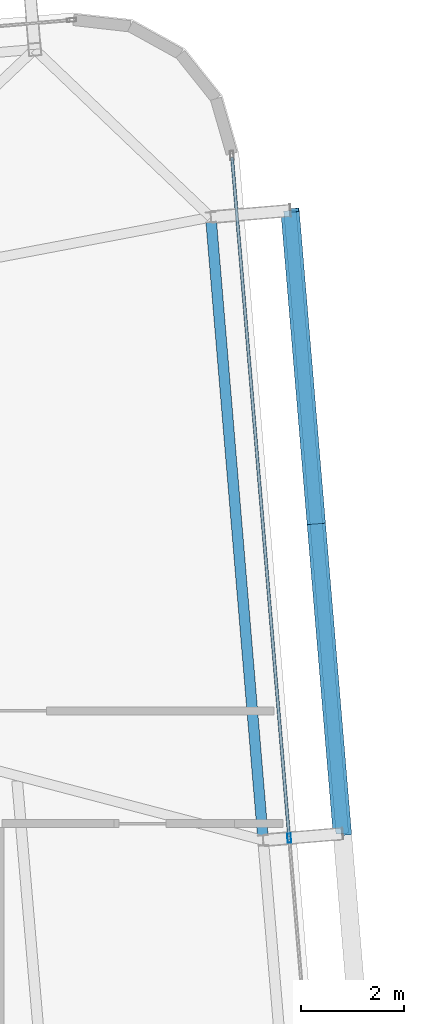
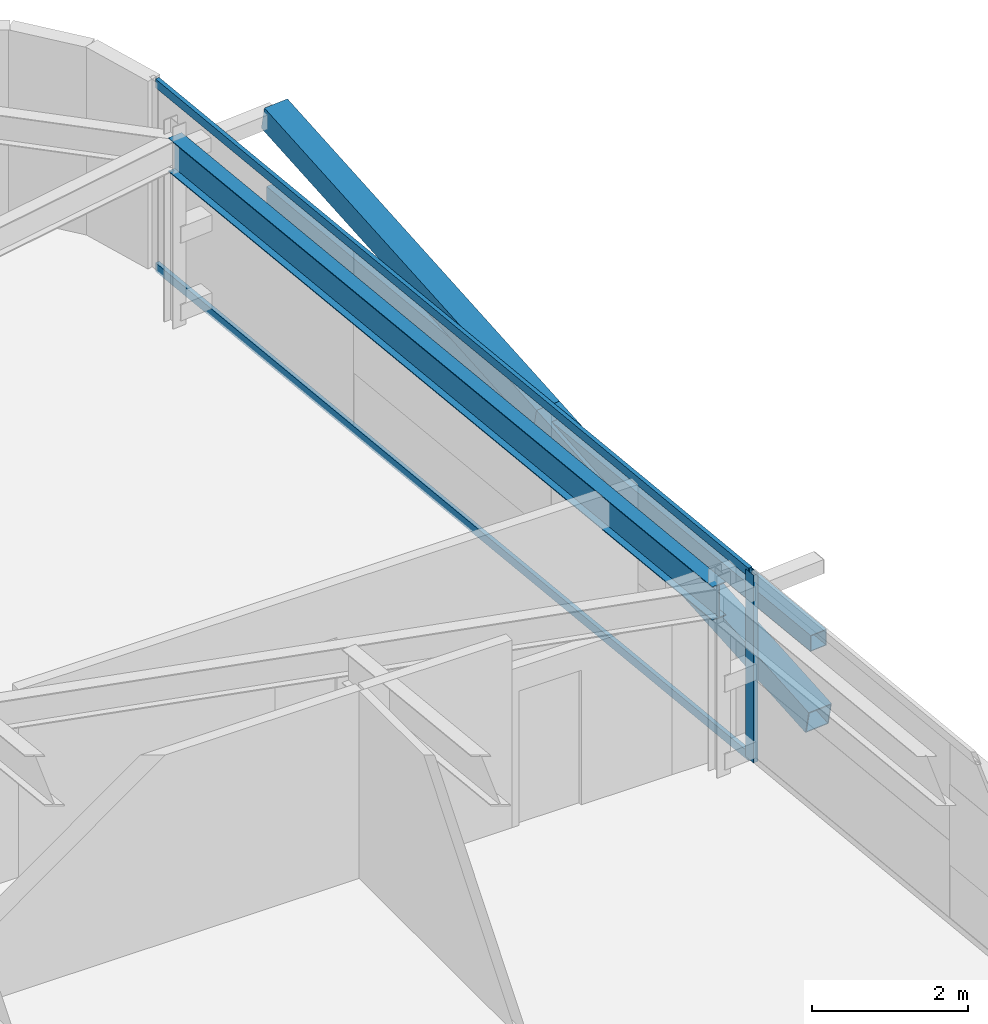
# One storey, part 20 of 39: 6 members, 1 beam, 1 element without a shape of its own.
"""IFC4 building model written with IfcOpenShell, lengths in metres."""

from ifc_helpers import new_model, si_unit, direction, frame, origin, origin_2d, place, context, subcontext, project, spatial, hollow_rectangle, i_section, extrude, source, transform, mapped, material, layer, layer_set, material_profile, profile_set, type_object, element, aggregate, save


model = new_model("IFC4")

# Units and contexts
model_context = context("Model", 3, precision=1e-05, world=origin(), true_north=direction((0.0, 1.0)))
body_context = subcontext(model_context, "Body", "Model", "MODEL_VIEW")
ifc_project = project(units=[si_unit("LENGTHUNIT", "METRE"), si_unit("AREAUNIT", "SQUARE_METRE"), si_unit("VOLUMEUNIT", "CUBIC_METRE"), si_unit("PLANEANGLEUNIT", "RADIAN"), si_unit("MASSUNIT", "GRAM", prefix="KILO")], contexts=[model_context])

# Site, building, storey
site_placement = place(None, origin())
site = spatial("IfcSite", under=ifc_project, at=site_placement, CompositionType="ELEMENT")
building_placement = place(site_placement, origin())
building = spatial("IfcBuilding", under=site, at=building_placement, Name="Taldren Reach Tower", CompositionType="ELEMENT")
storey_placement = place(building_placement, frame((0.0, 0.0, 175.699951171875)))
storey = spatial("IfcBuildingStorey", under=building, at=storey_placement, Name="L53", CompositionType="ELEMENT", Elevation=175.699951171875)

# Beam
ifc_material_1 = material(Name="Steel Gr 350 (350PLUS)", Category="steel")
ifc_material_profile_1 = material_profile(ifc_material_1, i_section(OverallWidth=0.208984375, OverallDepth=0.528076171875, WebThickness=0.009521484375, FlangeThickness=0.01318359375, at=origin_2d()), Name="530UB82.0")
ifc_profile_set_1 = profile_set([ifc_material_profile_1], Name="Steel Gr 350 (350PLUS)")
beam_type = type_object("IfcBeamType", Name="SP-UB530B", PredefinedType="SPANDREL", material=ifc_profile_set_1)
shared_shape_1 = source(origin(), body_context, "Body", "SweptSolid", [
    extrude(i_section(OverallWidth=0.208984375, OverallDepth=0.528076171875, WebThickness=0.009521484375, FlangeThickness=0.01318359375, at=origin_2d()), origin(), (0.0, 0.0, 1.0), 12.199951171875),
])
beam_placement = place(storey_placement, frame((60.6171875, 21.474853515625, 2.666015625), z_axis=(-0.083668166953, 0.99649367175, 0.0), x_axis=(-0.99649367175, -0.083668166953, 0.0)))
element("IfcBeam", 1, at=beam_placement, inside=storey, type_object=beam_type, Name="Perimeter spandrel B4 E2-E3 L53", PredefinedType="SPANDREL", context=body_context, shape_type="MappedRepresentation", body=[
    mapped(shared_shape_1, transform((0.0, 0.0, 0.0), scale=1.0)),
])

# Members
ifc_material_2 = material(Name="Steel Gr 350 (C350L0)", Category="steel")
ifc_material_profile_2 = material_profile(ifc_material_2, hollow_rectangle(XDim=0.25, YDim=0.25, WallThickness=0.010009765625, at=origin_2d()), Name="250x250x10.0SHS")
ifc_profile_set_2 = profile_set([ifc_material_profile_2], Name="Steel Gr 350 (C350L0)")
member_type_1 = type_object("IfcMemberType", Name="MB-POST250", PredefinedType="POST", material=ifc_profile_set_2)
shared_shape_2 = source(origin(), body_context, "Body", "SweptSolid", [
    extrude(hollow_rectangle(XDim=0.25, YDim=0.25, WallThickness=0.010009765625, at=origin_2d()), origin(), (0.0, 0.0, 1.0), 12.199951171875),
])
member_1_placement = place(storey_placement, frame((62.161865234375, 21.6044921875, 1.43505859375), z_axis=(-0.083688038336, 0.996492003099, 0.0), x_axis=(-0.996492003099, -0.083688038336, 0.0)))
element("IfcMember", 2, at=member_1_placement, inside=storey, type_object=member_type_1, Name="Exoskeleton mid-height ring chord B4-E2 L53", PredefinedType="POST", context=body_context, shape_type="MappedRepresentation", body=[
    mapped(shared_shape_2, transform((0.0, 0.0, 0.0), scale=1.0)),
])
ifc_material_3 = material(Name="Steel Gr 450 (C450L0)", Category="steel")
ifc_material_profile_3 = material_profile(ifc_material_3, hollow_rectangle(XDim=0.360107421875, YDim=0.360107421875, WallThickness=0.0126953125, at=origin_2d()), Name="360x360x12.7SHS")
ifc_profile_set_3 = profile_set([ifc_material_profile_3], Name="Steel Gr 450 (C450L0)")
member_type_2 = type_object("IfcMemberType", Name="MB-EXO356", PredefinedType="BRACE", material=ifc_profile_set_3)
shared_shape_3 = source(origin(), body_context, "Body", "SweptSolid", [
    extrude(hollow_rectangle(XDim=0.360107421875, YDim=0.360107421875, WallThickness=0.0126953125, at=origin_2d()), origin(), (0.0, 0.0, 1.0), 6.219970703125),
])
for number, where, z_axis, x_axis, name in (
    (3, (62.161865234375, 21.6044921875, 0.219970703125), (-0.082075564879, 0.977291924611, 0.195356330179), (-0.996492003099, -0.083688038336, 0.0), "Exoskeleton Diagrid Brace B4-E2 L53"),
    (4, (61.6513671875, 27.68310546875, 1.43505859375), (-0.082075564879, 0.977291924611, 0.195356330179), (-0.996492003099, -0.083688038336, 0.0), "Exoskeleton Diagrid Brace B4-E2 L53"),
):
    element("IfcMember", number, at=place(storey_placement, frame(where, z_axis=z_axis, x_axis=x_axis)), inside=storey, type_object=member_type_2, Name=name, PredefinedType="BRACE", context=body_context, shape_type="MappedRepresentation", body=[
        mapped(shared_shape_3, transform((0.0, 0.0, 0.0), scale=1.0)),
    ])

# Curtain wall, members
ifc_material_4 = material(Name="Aluminium and Low-E Glass Unitised System", Category="aluminium")
ifc_layer = layer(ifc_material_4, 0.159912109375)
ifc_layer_set = layer_set([ifc_layer], Name="Aluminium and Low-E Glass Unitised System")
curtain_wall_type = type_object("IfcCurtainWallType", Name="CW-SYS-5", PredefinedType="NOTDEFINED", material=ifc_layer_set)
curtain_wall_placement = place(storey_placement, origin())
curtain_wall = element("IfcCurtainWall", 5, at=curtain_wall_placement, inside=storey, type_object=curtain_wall_type, Name="Unitised curtain wall CW-L53-E", PredefinedType="NOTDEFINED")
ifc_material_5 = material(Name="Anodised Aluminium 6063-T6", Category="aluminium")
ifc_material_profile_4 = material_profile(ifc_material_5, hollow_rectangle(XDim=0.070068359375, YDim=0.179931640625, WallThickness=0.00390625, at=origin_2d()), Name="ALU-180x70x4RHS")
ifc_profile_set_4 = profile_set([ifc_material_profile_4], Name="Anodised Aluminium 6063-T6")
member_type_3 = type_object("IfcMemberType", Name="CW-MUL-180", PredefinedType="MULLION", material=ifc_profile_set_4)
shared_shape_4 = source(origin(), body_context, "Body", "SweptSolid", [
    extrude(hollow_rectangle(XDim=0.070068359375, YDim=0.179931640625, WallThickness=0.00390625, at=origin_2d()), origin(), (0.0, 0.0, 1.0), 2.929931640625),
])
member_2_placement = place(storey_placement, frame((61.12548828125, 21.517578125, 0.0), z_axis=(0.0, 0.0, 1.0), x_axis=(-0.996492847789, -0.083677979808, 0.0)))
member_2 = element("IfcMember", 6, at=member_2_placement, type_object=member_type_3, Name="CW-5 mullion 2", PredefinedType="MULLION", context=body_context, shape_type="MappedRepresentation", body=[
    mapped(shared_shape_4, transform((0.0, 0.0, 0.0), scale=1.0)),
])
ifc_material_profile_5 = material_profile(ifc_material_5, hollow_rectangle(XDim=0.06005859375, YDim=0.135009765625, WallThickness=0.00341796875, at=origin_2d()), Name="ALU-135x60x3.5RHS")
ifc_profile_set_5 = profile_set([ifc_material_profile_5], Name="Anodised Aluminium 6063-T6")
member_type_4 = type_object("IfcMemberType", Name="CW-TRN-150", PredefinedType="USERDEFINED", material=ifc_profile_set_5)
shared_shape_5 = source(origin(), body_context, "Body", "SweptSolid", [
    extrude(hollow_rectangle(XDim=0.06005859375, YDim=0.135009765625, WallThickness=0.00341796875, at=origin_2d()), origin(), (0.0, 0.0, 1.0), 13.295166015625),
])
member_3_placement = place(storey_placement, frame((61.12255859375, 21.55224609375, 0.030029296875), z_axis=(-0.083680700004, 0.996492619364, 0.0), x_axis=(-0.996492619364, -0.083680700004, 0.0)))
member_3 = element("IfcMember", 7, at=member_3_placement, type_object=member_type_4, Name="CW-5 transom 2.1", ObjectType="TRANSOM", PredefinedType="USERDEFINED", context=body_context, shape_type="MappedRepresentation", body=[
    mapped(shared_shape_5, transform((0.0, 0.0, 0.0), scale=1.0)),
])
member_4_placement = place(storey_placement, frame((61.12255859375, 21.55224609375, 2.900146484375), z_axis=(-0.083680700004, 0.996492619364, 0.0), x_axis=(-0.996492619364, -0.083680700004, 0.0)))
member_4 = element("IfcMember", 8, at=member_4_placement, type_object=member_type_4, Name="CW-5 transom 2.2", ObjectType="TRANSOM", PredefinedType="USERDEFINED", context=body_context, shape_type="MappedRepresentation", body=[
    mapped(shared_shape_5, transform((0.0, 0.0, 0.0), scale=1.0)),
])
aggregate(curtain_wall, [member_2, member_3, member_4])

save(model, "model.ifc")
